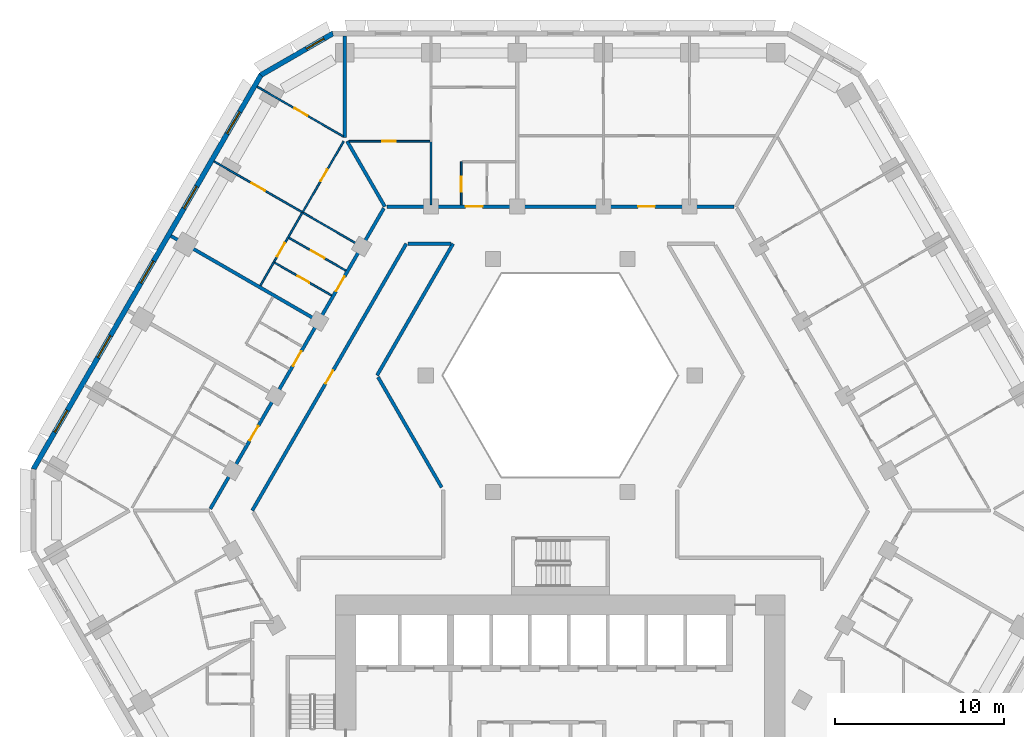
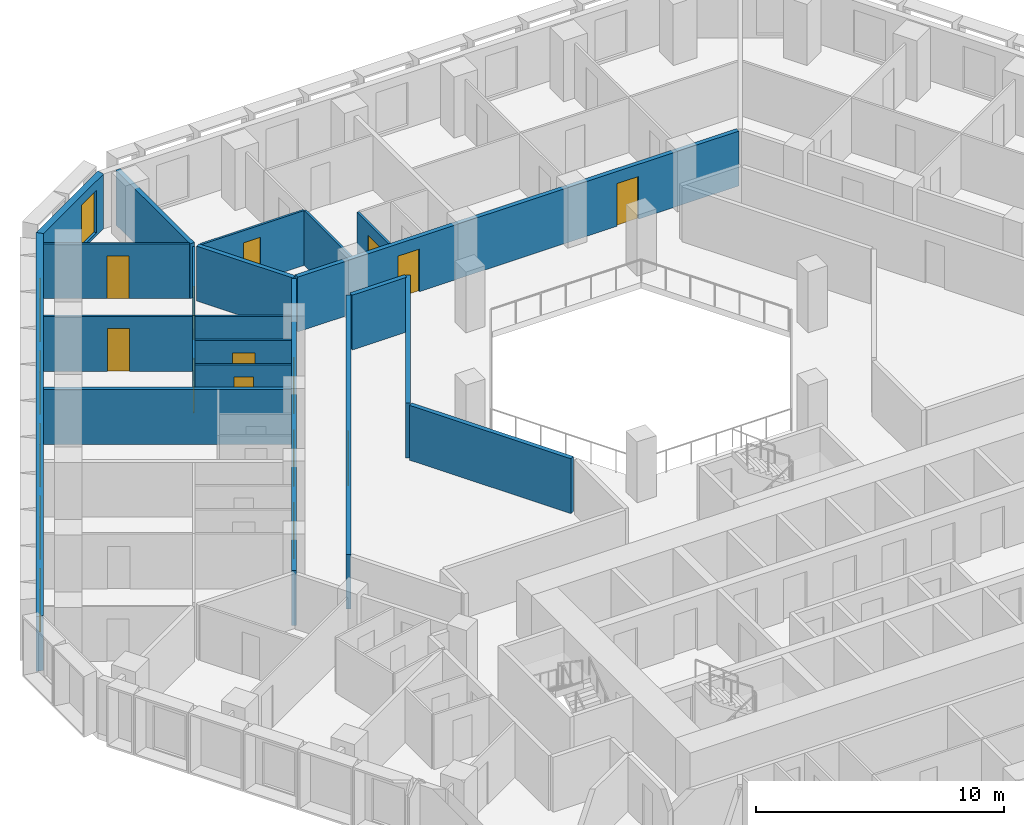
# One storey, part 8 of 16: 20 walls, 14 doors, 6 windows, 20 openings.
"""IFC4 building model written with IfcOpenShell, lengths in metres."""

from ifc_helpers import new_model, si_unit, direction, frame, frame_2d, origin, place, context, subcontext, project, spatial, polyline, rectangle, outline, extrude, material, layer, layer_set, type_object, element, fill, save


model = new_model("IFC4")

# Units and contexts
model_context = context("Model", 3, precision=1e-05, world=origin(), true_north=direction((0.0, 1.0)))
body_context = subcontext(model_context, "Body", "Model", "MODEL_VIEW")
ifc_project = project(units=[si_unit("LENGTHUNIT", "METRE"), si_unit("AREAUNIT", "SQUARE_METRE"), si_unit("VOLUMEUNIT", "CUBIC_METRE"), si_unit("PLANEANGLEUNIT", "RADIAN"), si_unit("MASSUNIT", "GRAM", prefix="KILO")], contexts=[model_context])

# Site, building, storey
site_placement = place(None, origin())
site = spatial("IfcSite", under=ifc_project, at=site_placement, CompositionType="ELEMENT")
building_placement = place(site_placement, origin())
building = spatial("IfcBuilding", under=site, at=building_placement, Name="Beryl Residences", CompositionType="ELEMENT")
storey_placement = place(building_placement, frame((0.0, 0.0, 56.39990234375)))
storey = spatial("IfcBuildingStorey", under=building, at=storey_placement, Name="L17", CompositionType="ELEMENT", Elevation=56.39990234375)

# Wall, opening, window
ifc_material_1 = material(Name="Composite metal panel with mineral wool insulation")
ifc_layer_1 = layer(ifc_material_1, 0.300048828125)
ifc_layer_set_1 = layer_set([ifc_layer_1], Name="ES1 pale metal composite panel wall 300 mm")
wall_type_1 = type_object("IfcWallType", Name="ES1 pale metal composite panel wall 300 mm", PredefinedType="SOLIDWALL", material=ifc_layer_set_1)
wall_1_placement = place(storey_placement, frame((-13.43505859375, 28.27001953125, 0.0), z_axis=(0.0, 0.0, 1.0), x_axis=(-0.866010750942, -0.50002537861, 0.0)))
wall_1 = element("IfcWall", 1, at=wall_1_placement, inside=storey, type_object=wall_type_1, Name="ES1 external wall L17 N-NW", PredefinedType="SOLIDWALL", context=body_context, shape_type="SweptSolid", body=[
    extrude(outline(polyline([(0.0, -0.14990234375), (4.999755859375, -0.14990234375), (4.91943359375, 0.14990234375), (0.080322265625, 0.14990234375), (0.0, -0.14990234375)])), origin(), (0.0, 0.0, 1.0), 2.7001953125),
])
opening_1_placement = place(wall_1_placement, frame((0.64990234375, 0.0, 0.14990234375)))
opening_1 = element("IfcOpeningElement", 2, at=opening_1_placement, cuts=wall_1, Name="Opening W2", PredefinedType="OPENING", context=body_context, shape_type="SweptSolid", body=[
    extrude(rectangle(XDim=1.199951171875, YDim=2.10009765625, at=frame_2d((0.60009765625, 1.050048828125))), frame((0.0, 0.159912109375, 0.0), z_axis=(0.0, -1.0, 0.0), x_axis=(1.0, 0.0, 0.0)), (0.0, 0.0, 1.0), 0.320068359375),
])
ifc_material_2 = material(Name="Aluminium and clear glass", Category="aluminium")
window_type_1 = type_object("IfcWindowType", Name="W2 chamfer window 1200 x 2100 mm", PartitioningType="SINGLE_PANEL", PredefinedType="WINDOW", material=ifc_material_2)
window_1_placement = place(opening_1_placement, origin())
window_1 = element("IfcWindow", 3, at=window_1_placement, inside=storey, type_object=window_type_1, Name="W2 window L17 N-NW 1", OverallHeight=2.10009765625, OverallWidth=1.199951171875, PartitioningType="SINGLE_PANEL", PredefinedType="WINDOW", context=body_context, shape_type="SweptSolid", body=[
    extrude(rectangle(XDim=1.199951171875, YDim=2.10009765625, at=frame_2d((0.60009765625, 1.050048828125))), frame((0.0, 0.030029296875, 0.0), z_axis=(0.0, -1.0, 0.0), x_axis=(1.0, 0.0, 0.0)), (0.0, 0.0, 1.0), 0.06005859375),
])
fill(opening_1, window_1)

# Wall, openings, windows
wall_2_placement = place(storey_placement, frame((-17.7099609375, 25.824951171875, 0.0), z_axis=(0.0, 0.0, 1.0), x_axis=(-0.500001938803, -0.866024284413, 0.0)))
wall_2 = element("IfcWall", 4, at=wall_2_placement, inside=storey, type_object=wall_type_1, Name="ES1 external wall L17 NW", PredefinedType="SOLIDWALL", context=body_context, shape_type="SweptSolid", body=[
    extrude(outline(polyline([(0.0, -0.14990234375), (27.02001953125, -0.14990234375), (26.939697265625, 0.14990234375), (0.080322265625, 0.14990234375), (0.0, -0.14990234375)])), origin(), (0.0, 0.0, 1.0), 2.7001953125),
])
opening_2_placement = place(wall_2_placement, frame((2.552978515625, 0.0, 0.14990234375)))
opening_2 = element("IfcOpeningElement", 5, at=opening_2_placement, cuts=wall_2, Name="Opening W1", PredefinedType="OPENING", context=body_context, shape_type="SweptSolid", body=[
    extrude(rectangle(XDim=1.5, YDim=2.10009765625, at=frame_2d((0.75, 1.050048828125))), frame((0.0, 0.159912109375, 0.0), z_axis=(0.0, -1.0, 0.0), x_axis=(1.0, 0.0, 0.0)), (0.0, 0.0, 1.0), 0.320068359375),
])
opening_3_placement = place(wall_2_placement, frame((7.657958984375, 0.0, 0.14990234375)))
opening_3 = element("IfcOpeningElement", 6, at=opening_3_placement, cuts=wall_2, Name="Opening W1", PredefinedType="OPENING", context=body_context, shape_type="SweptSolid", body=[
    extrude(rectangle(XDim=1.5, YDim=2.10009765625, at=frame_2d((0.75, 1.050048828125))), frame((0.0, 0.159912109375, 0.0), z_axis=(0.0, -1.0, 0.0), x_axis=(1.0, 0.0, 0.0)), (0.0, 0.0, 1.0), 0.320068359375),
])
opening_4_placement = place(wall_2_placement, frame((12.760986328125, 0.0, 0.14990234375)))
opening_4 = element("IfcOpeningElement", 7, at=opening_4_placement, cuts=wall_2, Name="Opening W1", PredefinedType="OPENING", context=body_context, shape_type="SweptSolid", body=[
    extrude(rectangle(XDim=1.5, YDim=2.10009765625, at=frame_2d((0.75, 1.050048828125))), frame((0.0, 0.159912109375, 0.0), z_axis=(0.0, -1.0, 0.0), x_axis=(1.0, 0.0, 0.0)), (0.0, 0.0, 1.0), 0.320068359375),
])
opening_5_placement = place(wall_2_placement, frame((17.864990234375, 0.0, 0.14990234375)))
opening_5 = element("IfcOpeningElement", 8, at=opening_5_placement, cuts=wall_2, Name="Opening W1", PredefinedType="OPENING", context=body_context, shape_type="SweptSolid", body=[
    extrude(rectangle(XDim=1.5, YDim=2.10009765625, at=frame_2d((0.75, 1.050048828125))), frame((0.0, 0.159912109375, 0.0), z_axis=(0.0, -1.0, 0.0), x_axis=(1.0, 0.0, 0.0)), (0.0, 0.0, 1.0), 0.320068359375),
])
opening_6_placement = place(wall_2_placement, frame((22.968994140625, 0.0, 0.14990234375)))
opening_6 = element("IfcOpeningElement", 9, at=opening_6_placement, cuts=wall_2, Name="Opening W1", PredefinedType="OPENING", context=body_context, shape_type="SweptSolid", body=[
    extrude(rectangle(XDim=1.5, YDim=2.10009765625, at=frame_2d((0.75, 1.050048828125))), frame((0.0, 0.159912109375, 0.0), z_axis=(0.0, -1.0, 0.0), x_axis=(1.0, 0.0, 0.0)), (0.0, 0.0, 1.0), 0.320068359375),
])
ifc_material_3 = material(Name="Aluminium and clear glass", Category="aluminium")
window_type_2 = type_object("IfcWindowType", Name="W1 cell window 1500 x 2100 mm", PartitioningType="SINGLE_PANEL", PredefinedType="WINDOW", material=ifc_material_3)
window_2_placement = place(opening_2_placement, origin())
window_2 = element("IfcWindow", 10, at=window_2_placement, inside=storey, type_object=window_type_2, Name="W1 window L17 NW 2", OverallHeight=2.10009765625, OverallWidth=1.5, PartitioningType="SINGLE_PANEL", PredefinedType="WINDOW", context=body_context, shape_type="SweptSolid", body=[
    extrude(rectangle(XDim=1.5, YDim=2.10009765625, at=frame_2d((0.75, 1.050048828125))), frame((0.0, 0.030029296875, 0.0), z_axis=(0.0, -1.0, 0.0), x_axis=(1.0, 0.0, 0.0)), (0.0, 0.0, 1.0), 0.06005859375),
])
fill(opening_2, window_2)
window_3_placement = place(opening_3_placement, origin())
window_3 = element("IfcWindow", 11, at=window_3_placement, inside=storey, type_object=window_type_2, Name="W1 window L17 NW 4", OverallHeight=2.10009765625, OverallWidth=1.5, PartitioningType="SINGLE_PANEL", PredefinedType="WINDOW", context=body_context, shape_type="SweptSolid", body=[
    extrude(rectangle(XDim=1.5, YDim=2.10009765625, at=frame_2d((0.75, 1.050048828125))), frame((0.0, 0.030029296875, 0.0), z_axis=(0.0, -1.0, 0.0), x_axis=(1.0, 0.0, 0.0)), (0.0, 0.0, 1.0), 0.06005859375),
])
fill(opening_3, window_3)
window_4_placement = place(opening_4_placement, origin())
window_4 = element("IfcWindow", 12, at=window_4_placement, inside=storey, type_object=window_type_2, Name="W1 window L17 NW 6", OverallHeight=2.10009765625, OverallWidth=1.5, PartitioningType="SINGLE_PANEL", PredefinedType="WINDOW", context=body_context, shape_type="SweptSolid", body=[
    extrude(rectangle(XDim=1.5, YDim=2.10009765625, at=frame_2d((0.75, 1.050048828125))), frame((0.0, 0.030029296875, 0.0), z_axis=(0.0, -1.0, 0.0), x_axis=(1.0, 0.0, 0.0)), (0.0, 0.0, 1.0), 0.06005859375),
])
fill(opening_4, window_4)
window_5_placement = place(opening_5_placement, origin())
window_5 = element("IfcWindow", 13, at=window_5_placement, inside=storey, type_object=window_type_2, Name="W1 window L17 NW 8", OverallHeight=2.10009765625, OverallWidth=1.5, PartitioningType="SINGLE_PANEL", PredefinedType="WINDOW", context=body_context, shape_type="SweptSolid", body=[
    extrude(rectangle(XDim=1.5, YDim=2.10009765625, at=frame_2d((0.75, 1.050048828125))), frame((0.0, 0.030029296875, 0.0), z_axis=(0.0, -1.0, 0.0), x_axis=(1.0, 0.0, 0.0)), (0.0, 0.0, 1.0), 0.06005859375),
])
fill(opening_5, window_5)
window_6_placement = place(opening_6_placement, origin())
window_6 = element("IfcWindow", 14, at=window_6_placement, inside=storey, type_object=window_type_2, Name="W1 window L17 NW 10", OverallHeight=2.10009765625, OverallWidth=1.5, PartitioningType="SINGLE_PANEL", PredefinedType="WINDOW", context=body_context, shape_type="SweptSolid", body=[
    extrude(rectangle(XDim=1.5, YDim=2.10009765625, at=frame_2d((0.75, 1.050048828125))), frame((0.0, 0.030029296875, 0.0), z_axis=(0.0, -1.0, 0.0), x_axis=(1.0, 0.0, 0.0)), (0.0, 0.0, 1.0), 0.06005859375),
])
fill(opening_6, window_6)

# Wall
ifc_material_4 = material(Name="Gypsum board partition on steel studs", Category="steel")
ifc_layer_2 = layer(ifc_material_4, 0.10009765625)
ifc_layer_set_2 = layer_set([ifc_layer_2], Name="PT1 partition 100 mm gypsum board on steel studs")
wall_type_2 = type_object("IfcWallType", Name="PT1 partition 100 mm gypsum board on steel studs", PredefinedType="PARTITIONING", material=ifc_layer_set_2)
wall_3_placement = place(storey_placement, frame((-7.656982421875, 21.843994140625, 0.0), z_axis=(0.0, 0.0, 1.0), x_axis=(0.0, -1.0, 0.0)))
element("IfcWall", 15, at=wall_3_placement, inside=storey, type_object=wall_type_2, Name="Wall PT1 L17 006", PredefinedType="PARTITIONING", context=body_context, shape_type="SweptSolid", body=[
    extrude(rectangle(XDim=3.743896484375, YDim=0.10009765625, at=frame_2d((1.8720703125, 0.0))), origin(), (0.0, 0.0, 1.0), 2.7001953125),
])

# Wall, opening, door
wall_4_placement = place(storey_placement, frame((-16.923095703125, 14.680908203125, 0.0), z_axis=(0.0, 0.0, 1.0), x_axis=(0.866087525071, -0.499892387336, 0.0)))
wall_4 = element("IfcWall", 16, at=wall_4_placement, inside=storey, type_object=wall_type_2, Name="Wall PT1 L17 017", PredefinedType="PARTITIONING", context=body_context, shape_type="SweptSolid", body=[
    extrude(rectangle(XDim=3.896728515625, YDim=0.10009765625, at=frame_2d((1.9482421875, 0.0))), origin(), (0.0, 0.0, 1.0), 2.7001953125),
])
opening_7_placement = place(wall_4_placement, frame((1.573974609375, 0.0, 0.0)))
opening_7 = element("IfcOpeningElement", 17, at=opening_7_placement, cuts=wall_4, Name="Opening D0571", PredefinedType="OPENING", context=body_context, shape_type="SweptSolid", body=[
    extrude(rectangle(XDim=0.800048828125, YDim=2.10009765625, at=frame_2d((0.39990234375, 1.050048828125))), frame((0.0, 0.06005859375, 0.0), z_axis=(0.0, -1.0, 0.0), x_axis=(1.0, 0.0, 0.0)), (0.0, 0.0, 1.0), 0.1201171875),
])
ifc_material_5 = material(Name="Timber door leaf", Category="wood")
door_type_1 = type_object("IfcDoorType", Name="D3 bathroom door 800 x 2100 mm", OperationType="SINGLE_SWING_LEFT", PredefinedType="DOOR", material=ifc_material_5)
door_1_placement = place(opening_7_placement, origin())
door_1 = element("IfcDoor", 18, at=door_1_placement, inside=storey, type_object=door_type_1, Name="Door D0571 L17 001", OperationType="SINGLE_SWING_LEFT", OverallHeight=2.10009765625, OverallWidth=0.800048828125, PredefinedType="DOOR", context=body_context, shape_type="SweptSolid", body=[
    extrude(rectangle(XDim=0.800048828125, YDim=2.10009765625, at=frame_2d((0.39990234375, 1.050048828125))), frame((0.0, 0.02490234375, 0.0), z_axis=(0.0, -1.0, 0.0), x_axis=(1.0, 0.0, 0.0)), (0.0, 0.0, 1.0), 0.050048828125),
])
fill(opening_7, door_1)

wall_5_placement = place(storey_placement, frame((-16.072998046875, 16.154052734375, 0.0), z_axis=(0.0, 0.0, 1.0), x_axis=(0.865979019114, -0.500080332001, 0.0)))
wall_5 = element("IfcWall", 19, at=wall_5_placement, inside=storey, type_object=wall_type_2, Name="Wall PT1 L17 020", PredefinedType="PARTITIONING", context=body_context, shape_type="SweptSolid", body=[
    extrude(rectangle(XDim=3.897216796875, YDim=0.10009765625, at=frame_2d((1.94873046875, 0.0))), origin(), (0.0, 0.0, 1.0), 2.7001953125),
])
opening_8_placement = place(wall_5_placement, frame((1.52392578125, 0.0, 0.0)))
opening_8 = element("IfcOpeningElement", 20, at=opening_8_placement, cuts=wall_5, Name="Opening D0572", PredefinedType="OPENING", context=body_context, shape_type="SweptSolid", body=[
    extrude(rectangle(XDim=0.89990234375, YDim=2.10009765625, at=frame_2d((0.449951171875, 1.050048828125))), frame((0.0, 0.06005859375, 0.0), z_axis=(0.0, -1.0, 0.0), x_axis=(1.0, 0.0, 0.0)), (0.0, 0.0, 1.0), 0.1201171875),
])
ifc_material_6 = material(Name="Timber door leaf", Category="wood")
door_type_2 = type_object("IfcDoorType", Name="D2 room door 900 x 2100 mm", OperationType="SINGLE_SWING_LEFT", PredefinedType="DOOR", material=ifc_material_6)
door_2_placement = place(opening_8_placement, origin())
door_2 = element("IfcDoor", 21, at=door_2_placement, inside=storey, type_object=door_type_2, Name="Door D0572 L17 001", OperationType="SINGLE_SWING_RIGHT", OverallHeight=2.10009765625, OverallWidth=0.89990234375, PredefinedType="DOOR", context=body_context, shape_type="SweptSolid", body=[
    extrude(rectangle(XDim=0.89990234375, YDim=2.10009765625, at=frame_2d((0.449951171875, 1.050048828125))), frame((0.0, 0.02490234375, 0.0), z_axis=(0.0, -1.0, 0.0), x_axis=(1.0, 0.0, 0.0)), (0.0, 0.0, 1.0), 0.050048828125),
])
fill(opening_8, door_2)

wall_6_placement = place(storey_placement, frame((-20.508056640625, 20.678955078125, 0.0), z_axis=(0.0, 0.0, 1.0), x_axis=(0.866047370643, -0.499961950354, 0.0)))
wall_6 = element("IfcWall", 22, at=wall_6_placement, inside=storey, type_object=wall_type_2, Name="Wall PT1 L17 022", PredefinedType="PARTITIONING", context=body_context, shape_type="SweptSolid", body=[
    extrude(rectangle(XDim=10.000732421875, YDim=0.10009765625, at=frame_2d((5.00048828125, 0.0))), origin(), (0.0, 0.0, 1.0), 2.7001953125),
])
opening_9_placement = place(wall_6_placement, frame((2.575927734375, 0.0, 0.0)))
opening_9 = element("IfcOpeningElement", 23, at=opening_9_placement, cuts=wall_6, Name="Opening D0574", PredefinedType="OPENING", context=body_context, shape_type="SweptSolid", body=[
    extrude(rectangle(XDim=0.89990234375, YDim=2.10009765625, at=frame_2d((0.449951171875, 1.050048828125))), frame((0.0, 0.06005859375, 0.0), z_axis=(0.0, -1.0, 0.0), x_axis=(1.0, 0.0, 0.0)), (0.0, 0.0, 1.0), 0.1201171875),
])
door_3_placement = place(opening_9_placement, origin())
door_3 = element("IfcDoor", 24, at=door_3_placement, inside=storey, type_object=door_type_2, Name="Door D0574 L17 001", OperationType="SINGLE_SWING_RIGHT", OverallHeight=2.10009765625, OverallWidth=0.89990234375, PredefinedType="DOOR", context=body_context, shape_type="SweptSolid", body=[
    extrude(rectangle(XDim=0.89990234375, YDim=2.10009765625, at=frame_2d((0.449951171875, 1.050048828125))), frame((0.0, 0.02490234375, 0.0), z_axis=(0.0, -1.0, 0.0), x_axis=(1.0, 0.0, 0.0)), (0.0, 0.0, 1.0), 0.050048828125),
])
fill(opening_9, door_3)

wall_7_placement = place(storey_placement, frame((-17.955078125, 25.09912109375, 0.0), z_axis=(0.0, 0.0, 1.0), x_axis=(0.866036353684, -0.499981033738, 0.0)))
wall_7 = element("IfcWall", 25, at=wall_7_placement, inside=storey, type_object=wall_type_2, Name="Wall PT1 L17 023", PredefinedType="PARTITIONING", context=body_context, shape_type="SweptSolid", body=[
    extrude(rectangle(XDim=5.884521484375, YDim=0.10009765625, at=frame_2d((2.9423828125, 0.0))), origin(), (0.0, 0.0, 1.0), 2.7001953125),
])
opening_10_placement = place(wall_7_placement, frame((2.550048828125, 0.0, 0.0)))
opening_10 = element("IfcOpeningElement", 26, at=opening_10_placement, cuts=wall_7, Name="Opening D0575", PredefinedType="OPENING", context=body_context, shape_type="SweptSolid", body=[
    extrude(rectangle(XDim=0.89990234375, YDim=2.10009765625, at=frame_2d((0.449951171875, 1.050048828125))), frame((0.0, 0.06005859375, 0.0), z_axis=(0.0, -1.0, 0.0), x_axis=(1.0, 0.0, 0.0)), (0.0, 0.0, 1.0), 0.1201171875),
])
door_4_placement = place(opening_10_placement, origin())
door_4 = element("IfcDoor", 27, at=door_4_placement, inside=storey, type_object=door_type_2, Name="Door D0575 L17 001", OperationType="SINGLE_SWING_LEFT", OverallHeight=2.10009765625, OverallWidth=0.89990234375, PredefinedType="DOOR", context=body_context, shape_type="SweptSolid", body=[
    extrude(rectangle(XDim=0.89990234375, YDim=2.10009765625, at=frame_2d((0.449951171875, 1.050048828125))), frame((0.0, 0.02490234375, 0.0), z_axis=(0.0, -1.0, 0.0), x_axis=(1.0, 0.0, 0.0)), (0.0, 0.0, 1.0), 0.050048828125),
])
fill(opening_10, door_4)

wall_8_placement = place(storey_placement, frame((-12.512939453125, 21.8740234375, 0.0), z_axis=(0.0, 0.0, 1.0), x_axis=(1.0, 0.0, 0.0)))
wall_8 = element("IfcWall", 28, at=wall_8_placement, inside=storey, type_object=wall_type_2, Name="Wall PT1 L17 033", PredefinedType="PARTITIONING", context=body_context, shape_type="SweptSolid", body=[
    extrude(rectangle(XDim=4.805908203125, YDim=0.10009765625, at=frame_2d((2.40283203125, 0.0))), origin(), (0.0, 0.0, 1.0), 2.7001953125),
])
opening_11_placement = place(wall_8_placement, frame((1.969970703125, 0.0, 0.0)))
opening_11 = element("IfcOpeningElement", 29, at=opening_11_placement, cuts=wall_8, Name="Opening D0569", PredefinedType="OPENING", context=body_context, shape_type="SweptSolid", body=[
    extrude(rectangle(XDim=0.800048828125, YDim=2.10009765625, at=frame_2d((0.39990234375, 1.050048828125))), frame((0.0, 0.06005859375, 0.0), z_axis=(0.0, -1.0, 0.0), x_axis=(1.0, 0.0, 0.0)), (0.0, 0.0, 1.0), 0.1201171875),
])
door_5_placement = place(opening_11_placement, origin())
door_5 = element("IfcDoor", 30, at=door_5_placement, inside=storey, type_object=door_type_1, Name="Door D0569 L17 001", OperationType="SINGLE_SWING_LEFT", OverallHeight=2.10009765625, OverallWidth=0.800048828125, PredefinedType="DOOR", context=body_context, shape_type="SweptSolid", body=[
    extrude(rectangle(XDim=0.800048828125, YDim=2.10009765625, at=frame_2d((0.39990234375, 1.050048828125))), frame((0.0, 0.02490234375, 0.0), z_axis=(0.0, -1.0, 0.0), x_axis=(1.0, 0.0, 0.0)), (0.0, 0.0, 1.0), 0.050048828125),
])
fill(opening_11, door_5)

wall_9_placement = place(storey_placement, frame((-17.76806640625, 13.319091796875, 0.0), z_axis=(0.0, 0.0, 1.0), x_axis=(0.499958946799, 0.866049104564, 0.0)))
wall_9 = element("IfcWall", 31, at=wall_9_placement, inside=storey, type_object=wall_type_2, Name="Wall PT1 L17 040", PredefinedType="PARTITIONING", context=body_context, shape_type="SweptSolid", body=[
    extrude(rectangle(XDim=5.00439453125, YDim=0.10009765625, at=frame_2d((2.502197265625, 0.0))), origin(), (0.0, 0.0, 1.0), 2.7001953125),
])
opening_12_placement = place(wall_9_placement, frame((2.001953125, 0.0, 0.0)))
opening_12 = element("IfcOpeningElement", 32, at=opening_12_placement, cuts=wall_9, Name="Opening D0573", PredefinedType="OPENING", context=body_context, shape_type="SweptSolid", body=[
    extrude(rectangle(XDim=0.89990234375, YDim=2.10009765625, at=frame_2d((0.449951171875, 1.050048828125))), frame((0.0, 0.06005859375, 0.0), z_axis=(0.0, -1.0, 0.0), x_axis=(1.0, 0.0, 0.0)), (0.0, 0.0, 1.0), 0.1201171875),
])
door_6_placement = place(opening_12_placement, origin())
door_6 = element("IfcDoor", 33, at=door_6_placement, inside=storey, type_object=door_type_2, Name="Door D0573 L17 001", OperationType="SINGLE_SWING_LEFT", OverallHeight=2.10009765625, OverallWidth=0.89990234375, PredefinedType="DOOR", context=body_context, shape_type="SweptSolid", body=[
    extrude(rectangle(XDim=0.89990234375, YDim=2.10009765625, at=frame_2d((0.449951171875, 1.050048828125))), frame((0.0, 0.02490234375, 0.0), z_axis=(0.0, -1.0, 0.0), x_axis=(1.0, 0.0, 0.0)), (0.0, 0.0, 1.0), 0.050048828125),
])
fill(opening_12, door_6)

wall_10_placement = place(storey_placement, frame((-5.87109375, 18.10009765625, 0.0), z_axis=(0.0, 0.0, 1.0), x_axis=(0.0, 1.0, 0.0)))
wall_10 = element("IfcWall", 34, at=wall_10_placement, inside=storey, type_object=wall_type_2, Name="Wall PT1 L17 051", PredefinedType="PARTITIONING", context=body_context, shape_type="SweptSolid", body=[
    extrude(rectangle(XDim=2.558837890625, YDim=0.10009765625, at=frame_2d((1.279296875, 0.0))), origin(), (0.0, 0.0, 1.0), 2.7001953125),
])
opening_13_placement = place(wall_10_placement, frame((0.780029296875, 0.0, 0.0)))
opening_13 = element("IfcOpeningElement", 35, at=opening_13_placement, cuts=wall_10, Name="Opening D0565", PredefinedType="OPENING", context=body_context, shape_type="SweptSolid", body=[
    extrude(rectangle(XDim=0.89990234375, YDim=2.10009765625, at=frame_2d((0.449951171875, 1.050048828125))), frame((0.0, 0.06005859375, 0.0), z_axis=(0.0, -1.0, 0.0), x_axis=(1.0, 0.0, 0.0)), (0.0, 0.0, 1.0), 0.1201171875),
])
door_7_placement = place(opening_13_placement, origin())
door_7 = element("IfcDoor", 36, at=door_7_placement, inside=storey, type_object=door_type_2, Name="Door D0565 L17 001", OperationType="SINGLE_SWING_LEFT", OverallHeight=2.10009765625, OverallWidth=0.89990234375, PredefinedType="DOOR", context=body_context, shape_type="SweptSolid", body=[
    extrude(rectangle(XDim=0.89990234375, YDim=2.10009765625, at=frame_2d((0.449951171875, 1.050048828125))), frame((0.0, 0.02490234375, 0.0), z_axis=(0.0, -1.0, 0.0), x_axis=(1.0, 0.0, 0.0)), (0.0, 0.0, 1.0), 0.050048828125),
])
fill(opening_13, door_7)

wall_11_placement = place(storey_placement, frame((-15.26611328125, 17.653076171875, 0.0), z_axis=(0.0, 0.0, 1.0), x_axis=(0.500007182864, 0.866021256716, 0.0)))
wall_11 = element("IfcWall", 37, at=wall_11_placement, inside=storey, type_object=wall_type_2, Name="Wall PT1 L17 073", PredefinedType="PARTITIONING", context=body_context, shape_type="SweptSolid", body=[
    extrude(rectangle(XDim=4.8740234375, YDim=0.10009765625, at=frame_2d((2.43701171875, 0.0))), origin(), (0.0, 0.0, 1.0), 2.7001953125),
])
opening_14_placement = place(wall_11_placement, frame((2.136962890625, 0.0, 0.0)))
opening_14 = element("IfcOpeningElement", 38, at=opening_14_placement, cuts=wall_11, Name="Opening D0576", PredefinedType="OPENING", context=body_context, shape_type="SweptSolid", body=[
    extrude(rectangle(XDim=0.800048828125, YDim=2.10009765625, at=frame_2d((0.39990234375, 1.050048828125))), frame((0.0, 0.06005859375, 0.0), z_axis=(0.0, -1.0, 0.0), x_axis=(1.0, 0.0, 0.0)), (0.0, 0.0, 1.0), 0.1201171875),
])
door_8_placement = place(opening_14_placement, origin())
door_8 = element("IfcDoor", 39, at=door_8_placement, inside=storey, type_object=door_type_1, Name="Door D0576 L17 001", OperationType="SINGLE_SWING_RIGHT", OverallHeight=2.10009765625, OverallWidth=0.800048828125, PredefinedType="DOOR", context=body_context, shape_type="SweptSolid", body=[
    extrude(rectangle(XDim=0.800048828125, YDim=2.10009765625, at=frame_2d((0.39990234375, 1.050048828125))), frame((0.0, 0.02490234375, 0.0), z_axis=(0.0, -1.0, 0.0), x_axis=(1.0, 0.0, 0.0)), (0.0, 0.0, 1.0), 0.050048828125),
])
fill(opening_14, door_8)

# Walls
ifc_material_7 = material(Name="Acoustic double stud gypsum board wall")
ifc_layer_3 = layer(ifc_material_7, 0.199951171875)
ifc_layer_set_3 = layer_set([ifc_layer_3], Name="PT3 party wall 200 mm acoustic double stud")
wall_type_3 = type_object("IfcWallType", Name="PT3 party wall 200 mm acoustic double stud", PredefinedType="PARTITIONING", material=ifc_layer_set_3)
wall_12_placement = place(storey_placement, frame((-12.62890625, 21.8740234375, 0.0), z_axis=(0.0, 0.0, 1.0), x_axis=(0.500024801635, -0.86601108408, 0.0)))
element("IfcWall", 40, at=wall_12_placement, inside=storey, type_object=wall_type_3, Name="Wall PT3 L17 001", PredefinedType="PARTITIONING", context=body_context, shape_type="SweptSolid", body=[
    extrude(rectangle(XDim=4.473388671875, YDim=0.199951171875, at=frame_2d((2.23681640625, 0.0))), origin(), (0.0, 0.0, 1.0), 2.7001953125),
])
wall_13_placement = place(storey_placement, frame((-23.06005859375, 16.259033203125, 0.0), z_axis=(0.0, 0.0, 1.0), x_axis=(0.866047370643, -0.499961950354, 0.0)))
element("IfcWall", 41, at=wall_13_placement, inside=storey, type_object=wall_type_3, Name="Wall PT3 L17 008", PredefinedType="PARTITIONING", context=body_context, shape_type="SweptSolid", body=[
    extrude(rectangle(XDim=10.000732421875, YDim=0.199951171875, at=frame_2d((5.00048828125, 0.0))), origin(), (0.0, 0.0, 1.0), 2.7001953125),
])
wall_14_placement = place(storey_placement, frame((-12.760986328125, 22.10302734375, 0.0), z_axis=(0.0, 0.0, 1.0), x_axis=(0.0, 1.0, 0.0)))
element("IfcWall", 42, at=wall_14_placement, inside=storey, type_object=wall_type_3, Name="Wall PT3 L17 014", PredefinedType="PARTITIONING", context=body_context, shape_type="SweptSolid", body=[
    extrude(rectangle(XDim=5.9970703125, YDim=0.199951171875, at=frame_2d((2.99853515625, 0.0))), origin(), (0.0, 0.0, 1.0), 2.7001953125),
])
ifc_material_8 = material(Name="Double stud gypsum board wall")
ifc_layer_4 = layer(ifc_material_8, 0.199951171875)
ifc_layer_set_4 = layer_set([ifc_layer_4], Name="PT4 corridor wall 200 mm double stud")
wall_type_4 = type_object("IfcWallType", Name="PT4 corridor wall 200 mm double stud", PredefinedType="PARTITIONING", material=ifc_layer_set_4)
wall_15_placement = place(storey_placement, frame((-10.7958984375, 7.89990234375, 0.0), z_axis=(0.0, 0.0, 1.0), x_axis=(0.499954271211, -0.866051803703, 0.0)))
element("IfcWall", 43, at=wall_15_placement, inside=storey, type_object=wall_type_4, Name="Wall PT4 L17 001", PredefinedType="PARTITIONING", context=body_context, shape_type="SweptSolid", body=[
    extrude(rectangle(XDim=7.536376953125, YDim=0.199951171875, at=frame_2d((3.76806640625, 0.0))), origin(), (0.0, 0.0, 1.0), 2.7001953125),
])
wall_16_placement = place(storey_placement, frame((-9.006103515625, 15.800048828125, 0.0), z_axis=(0.0, 0.0, 1.0), x_axis=(1.0, 0.0, 0.0)))
element("IfcWall", 44, at=wall_16_placement, inside=storey, type_object=wall_type_4, Name="Wall PT4 L17 017", PredefinedType="PARTITIONING", context=body_context, shape_type="SweptSolid", body=[
    extrude(rectangle(XDim=2.5400390625, YDim=0.199951171875, at=frame_2d((1.27001953125, 0.0))), origin(), (0.0, 0.0, 1.0), 2.7001953125),
])

# Wall, openings, doors
wall_17_placement = place(storey_placement, frame((-10.27587890625, 18.0, 0.0), z_axis=(0.0, 0.0, 1.0), x_axis=(1.0, 0.0, 0.0)))
wall_17 = element("IfcWall", 45, at=wall_17_placement, inside=storey, type_object=wall_type_4, Name="Wall PT4 L17 019", PredefinedType="PARTITIONING", context=body_context, shape_type="SweptSolid", body=[
    extrude(rectangle(XDim=20.552978515625, YDim=0.199951171875, at=frame_2d((10.2763671875, 0.0))), origin(), (0.0, 0.0, 1.0), 2.7001953125),
])
opening_15_placement = place(wall_17_placement, frame((14.87890625, 0.0, 0.0)))
opening_15 = element("IfcOpeningElement", 46, at=opening_15_placement, cuts=wall_17, Name="Opening D0558", PredefinedType="OPENING", context=body_context, shape_type="SweptSolid", body=[
    extrude(rectangle(XDim=1.0, YDim=2.10009765625, at=frame_2d((0.5, 1.050048828125))), frame((0.0, 0.10986328125, 0.0), z_axis=(0.0, -1.0, 0.0), x_axis=(1.0, 0.0, 0.0)), (0.0, 0.0, 1.0), 0.219970703125),
])
opening_16_placement = place(wall_17_placement, frame((4.6708984375, 0.0, 0.0)))
opening_16 = element("IfcOpeningElement", 47, at=opening_16_placement, cuts=wall_17, Name="Opening D0564", PredefinedType="OPENING", context=body_context, shape_type="SweptSolid", body=[
    extrude(rectangle(XDim=1.0, YDim=2.10009765625, at=frame_2d((0.5, 1.050048828125))), frame((0.0, 0.10986328125, 0.0), z_axis=(0.0, -1.0, 0.0), x_axis=(1.0, 0.0, 0.0)), (0.0, 0.0, 1.0), 0.219970703125),
])
ifc_material_9 = material(Name="Timber door leaf", Category="wood")
door_type_3 = type_object("IfcDoorType", Name="D1 flat entrance door 1000 x 2100 mm", OperationType="SINGLE_SWING_LEFT", PredefinedType="DOOR", material=ifc_material_9)
door_9_placement = place(opening_15_placement, origin())
door_9 = element("IfcDoor", 48, at=door_9_placement, inside=storey, type_object=door_type_3, Name="Door D0558 L17 001", OperationType="SINGLE_SWING_RIGHT", OverallHeight=2.10009765625, OverallWidth=1.0, PredefinedType="DOOR", context=body_context, shape_type="SweptSolid", body=[
    extrude(rectangle(XDim=1.0, YDim=2.10009765625, at=frame_2d((0.5, 1.050048828125))), frame((0.0, 0.02490234375, 0.0), z_axis=(0.0, -1.0, 0.0), x_axis=(1.0, 0.0, 0.0)), (0.0, 0.0, 1.0), 0.050048828125),
])
fill(opening_15, door_9)
door_10_placement = place(opening_16_placement, origin())
door_10 = element("IfcDoor", 49, at=door_10_placement, inside=storey, type_object=door_type_3, Name="Door D0564 L17 001", OperationType="SINGLE_SWING_RIGHT", OverallHeight=2.10009765625, OverallWidth=1.0, PredefinedType="DOOR", context=body_context, shape_type="SweptSolid", body=[
    extrude(rectangle(XDim=1.0, YDim=2.10009765625, at=frame_2d((0.5, 1.050048828125))), frame((0.0, 0.02490234375, 0.0), z_axis=(0.0, -1.0, 0.0), x_axis=(1.0, 0.0, 0.0)), (0.0, 0.0, 1.0), 0.050048828125),
])
fill(opening_16, door_10)

# Wall
wall_18_placement = place(storey_placement, frame((-10.85400390625, 8.0, 0.0), z_axis=(0.0, 0.0, 1.0), x_axis=(0.499964141897, 0.86604610548, 0.0)))
element("IfcWall", 50, at=wall_18_placement, inside=storey, type_object=wall_type_4, Name="Wall PT4 L17 023", PredefinedType="PARTITIONING", context=body_context, shape_type="SweptSolid", body=[
    extrude(rectangle(XDim=9.006591796875, YDim=0.199951171875, at=frame_2d((4.50341796875, 0.0))), origin(), (0.0, 0.0, 1.0), 2.7001953125),
])

# Wall, opening, door
wall_19_placement = place(storey_placement, frame((-18.243896484375, -0.0009765625, 0.0), z_axis=(0.0, 0.0, 1.0), x_axis=(0.499962999376, 0.866046765051, 0.0)))
wall_19 = element("IfcWall", 51, at=wall_19_placement, inside=storey, type_object=wall_type_4, Name="Wall PT4 L17 024", PredefinedType="PARTITIONING", context=body_context, shape_type="SweptSolid", body=[
    extrude(rectangle(XDim=18.2451171875, YDim=0.199951171875, at=frame_2d((9.12255859375, 0.0))), origin(), (0.0, 0.0, 1.0), 2.7001953125),
])
opening_17_placement = place(wall_19_placement, frame((8.672119140625, 0.0, 0.0)))
opening_17 = element("IfcOpeningElement", 52, at=opening_17_placement, cuts=wall_19, Name="Opening D0577", PredefinedType="OPENING", context=body_context, shape_type="SweptSolid", body=[
    extrude(rectangle(XDim=0.89990234375, YDim=2.10009765625, at=frame_2d((0.449951171875, 1.050048828125))), frame((0.0, 0.10986328125, 0.0), z_axis=(0.0, -1.0, 0.0), x_axis=(1.0, 0.0, 0.0)), (0.0, 0.0, 1.0), 0.219970703125),
])
door_11_placement = place(opening_17_placement, origin())
door_11 = element("IfcDoor", 53, at=door_11_placement, inside=storey, type_object=door_type_2, Name="Door D0577 L17 001", OperationType="SINGLE_SWING_LEFT", OverallHeight=2.10009765625, OverallWidth=0.89990234375, PredefinedType="DOOR", context=body_context, shape_type="SweptSolid", body=[
    extrude(rectangle(XDim=0.89990234375, YDim=2.10009765625, at=frame_2d((0.449951171875, 1.050048828125))), frame((0.0, 0.02490234375, 0.0), z_axis=(0.0, -1.0, 0.0), x_axis=(1.0, 0.0, 0.0)), (0.0, 0.0, 1.0), 0.050048828125),
])
fill(opening_17, door_11)

# Wall, openings, doors
wall_20_placement = place(storey_placement, frame((-20.72705078125, 0.09912109375, 0.0), z_axis=(0.0, 0.0, 1.0), x_axis=(0.499993204491, 0.866029327138, 0.0)))
wall_20 = element("IfcWall", 54, at=wall_20_placement, inside=storey, type_object=wall_type_4, Name="Wall PT4 L17 025", PredefinedType="PARTITIONING", context=body_context, shape_type="SweptSolid", body=[
    extrude(rectangle(XDim=20.554443359375, YDim=0.199951171875, at=frame_2d((10.27734375, 0.0))), origin(), (0.0, 0.0, 1.0), 2.7001953125),
])
opening_18_placement = place(wall_20_placement, frame((9.77587890625, 0.0, 0.0)))
opening_18 = element("IfcOpeningElement", 55, at=opening_18_placement, cuts=wall_20, Name="Opening D0501", PredefinedType="OPENING", context=body_context, shape_type="SweptSolid", body=[
    extrude(rectangle(XDim=1.0, YDim=2.10009765625, at=frame_2d((0.5, 1.050048828125))), frame((0.0, 0.10986328125, 0.0), z_axis=(0.0, -1.0, 0.0), x_axis=(1.0, 0.0, 0.0)), (0.0, 0.0, 1.0), 0.219970703125),
])
opening_19_placement = place(wall_20_placement, frame((4.673095703125, 0.0, 0.0)))
opening_19 = element("IfcOpeningElement", 56, at=opening_19_placement, cuts=wall_20, Name="Opening D0504", PredefinedType="OPENING", context=body_context, shape_type="SweptSolid", body=[
    extrude(rectangle(XDim=1.0, YDim=2.10009765625, at=frame_2d((0.5, 1.050048828125))), frame((0.0, 0.10986328125, 0.0), z_axis=(0.0, -1.0, 0.0), x_axis=(1.0, 0.0, 0.0)), (0.0, 0.0, 1.0), 0.219970703125),
])
opening_20_placement = place(wall_20_placement, frame((14.8798828125, 0.0, 0.0)))
opening_20 = element("IfcOpeningElement", 57, at=opening_20_placement, cuts=wall_20, Name="Opening D0570", PredefinedType="OPENING", context=body_context, shape_type="SweptSolid", body=[
    extrude(rectangle(XDim=1.0, YDim=2.10009765625, at=frame_2d((0.5, 1.050048828125))), frame((0.0, 0.10986328125, 0.0), z_axis=(0.0, -1.0, 0.0), x_axis=(1.0, 0.0, 0.0)), (0.0, 0.0, 1.0), 0.219970703125),
])
door_12_placement = place(opening_18_placement, origin())
door_12 = element("IfcDoor", 58, at=door_12_placement, inside=storey, type_object=door_type_3, Name="Door D0501 L17 001", OperationType="SINGLE_SWING_LEFT", OverallHeight=2.10009765625, OverallWidth=1.0, PredefinedType="DOOR", context=body_context, shape_type="SweptSolid", body=[
    extrude(rectangle(XDim=1.0, YDim=2.10009765625, at=frame_2d((0.5, 1.050048828125))), frame((0.0, 0.02490234375, 0.0), z_axis=(0.0, -1.0, 0.0), x_axis=(1.0, 0.0, 0.0)), (0.0, 0.0, 1.0), 0.050048828125),
])
fill(opening_18, door_12)
door_13_placement = place(opening_19_placement, origin())
door_13 = element("IfcDoor", 59, at=door_13_placement, inside=storey, type_object=door_type_3, Name="Door D0504 L17 001", OperationType="SINGLE_SWING_RIGHT", OverallHeight=2.10009765625, OverallWidth=1.0, PredefinedType="DOOR", context=body_context, shape_type="SweptSolid", body=[
    extrude(rectangle(XDim=1.0, YDim=2.10009765625, at=frame_2d((0.5, 1.050048828125))), frame((0.0, 0.02490234375, 0.0), z_axis=(0.0, -1.0, 0.0), x_axis=(1.0, 0.0, 0.0)), (0.0, 0.0, 1.0), 0.050048828125),
])
fill(opening_19, door_13)
door_14_placement = place(opening_20_placement, origin())
door_14 = element("IfcDoor", 60, at=door_14_placement, inside=storey, type_object=door_type_3, Name="Door D0570 L17 001", OperationType="SINGLE_SWING_RIGHT", OverallHeight=2.10009765625, OverallWidth=1.0, PredefinedType="DOOR", context=body_context, shape_type="SweptSolid", body=[
    extrude(rectangle(XDim=1.0, YDim=2.10009765625, at=frame_2d((0.5, 1.050048828125))), frame((0.0, 0.02490234375, 0.0), z_axis=(0.0, -1.0, 0.0), x_axis=(1.0, 0.0, 0.0)), (0.0, 0.0, 1.0), 0.050048828125),
])
fill(opening_20, door_14)

save(model, "model.ifc")
